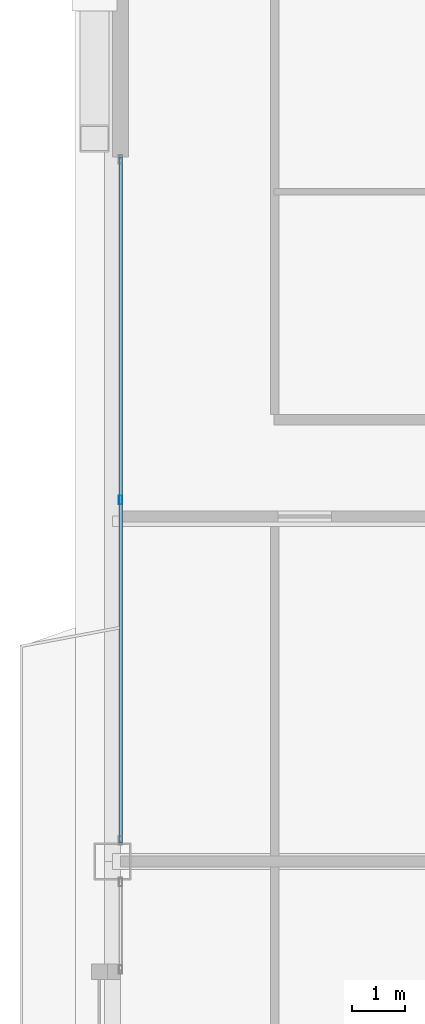
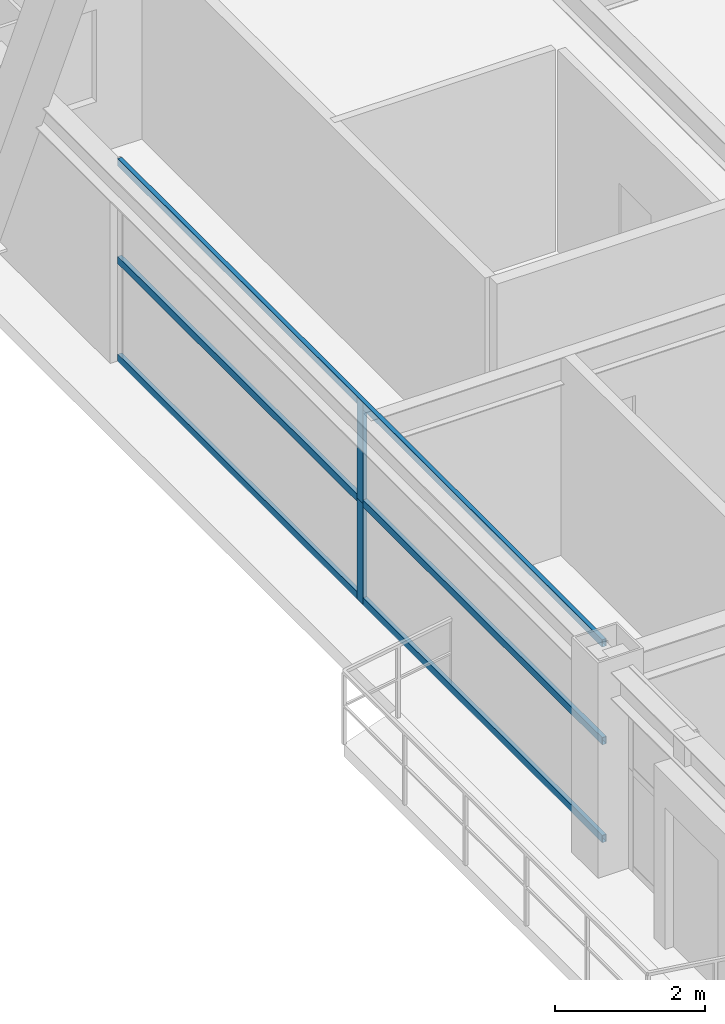
# One storey, part 10 of 33: 5 members, 1 element without a shape of its own.
"""IFC4 building model written with IfcOpenShell, lengths in metres."""

from ifc_helpers import new_model, si_unit, direction, frame, origin, origin_2d, place, context, subcontext, project, spatial, hollow_rectangle, extrude, source, transform, mapped, material, layer, layer_set, material_profile, profile_set, type_object, element, aggregate, save


model = new_model("IFC4")

# Units and contexts
model_context = context("Model", 3, precision=1e-05, world=origin(), true_north=direction((0.0, 1.0)))
body_context = subcontext(model_context, "Body", "Model", "MODEL_VIEW")
ifc_project = project(units=[si_unit("LENGTHUNIT", "METRE"), si_unit("AREAUNIT", "SQUARE_METRE"), si_unit("VOLUMEUNIT", "CUBIC_METRE"), si_unit("PLANEANGLEUNIT", "RADIAN"), si_unit("MASSUNIT", "GRAM", prefix="KILO"), si_unit("THERMODYNAMICTEMPERATUREUNIT", "KELVIN"), si_unit("POWERUNIT", "WATT")], contexts=[model_context])

# Site, building, storey
site_placement = place(None, origin())
site = spatial("IfcSite", under=ifc_project, at=site_placement, CompositionType="ELEMENT")
building_placement = place(site_placement, origin())
building = spatial("IfcBuilding", under=site, at=building_placement, Name="Yuzanri Waterfront Tower", CompositionType="ELEMENT")
storey_placement = place(building_placement, frame((0.0, 0.0, 234.60009765625)))
storey = spatial("IfcBuildingStorey", under=building, at=storey_placement, Name="L62", CompositionType="ELEMENT", Elevation=234.60009765625)

# Curtain wall, members
ifc_material_1 = material(Name="Anodized Architectural Bronze", Category="metal")
ifc_layer = layer(ifc_material_1, 0.159912109375)
ifc_layer_set = layer_set([ifc_layer], Name="Anodized Architectural Bronze")
curtain_wall_type = type_object("IfcCurtainWallType", Name="Anodized Bronze Mid-Rise Residential Acoustic Unitized Curtain Wall 7200", PredefinedType="NOTDEFINED", material=ifc_layer_set)
curtain_wall_placement = place(storey_placement, origin())
curtain_wall = element("IfcCurtainWall", 1, at=curtain_wall_placement, inside=storey, type_object=curtain_wall_type, Name="L62 Curtain Wall CW-L62-WR", PredefinedType="NOTDEFINED")
ifc_material_2 = material(Name="Anodized Architectural Bronze", Category="metal")
ifc_material_profile_1 = material_profile(ifc_material_2, hollow_rectangle(XDim=0.06494140625, YDim=0.159912109375, WallThickness=0.00341796875, at=origin_2d()), Name="CWM 65x160")
ifc_profile_set_1 = profile_set([ifc_material_profile_1], Name="Anodized Architectural Bronze")
member_type_1 = type_object("IfcMemberType", Name="Anodized Bronze Upper-Zone Curtain-Wall Mullion 65x160", PredefinedType="MULLION", material=ifc_profile_set_1)
shared_shape_1 = source(origin(), body_context, "Body", "SweptSolid", [
    extrude(hollow_rectangle(XDim=0.06494140625, YDim=0.159912109375, WallThickness=0.00341796875, at=origin_2d()), origin(), (0.0, 0.0, 1.0), 1.637939453125),
])
member_1_placement = place(storey_placement, frame((16.550048828125, 32.60009765625, 0.0), z_axis=(0.0, 0.0, 1.0), x_axis=(1.0, 0.0, 0.0)))
member_1 = element("IfcMember", 2, at=member_1_placement, type_object=member_type_1, Name="CW-L62-WR Lower Mullion 01", PredefinedType="MULLION", context=body_context, shape_type="MappedRepresentation", body=[
    mapped(shared_shape_1, transform((0.0, 0.0, 0.0), scale=1.0)),
])
member_2_placement = place(storey_placement, frame((16.550048828125, 32.60009765625, 1.641845703125), z_axis=(0.0, 0.0, 1.0), x_axis=(1.0, 0.0, 0.0)))
member_2 = element("IfcMember", 3, at=member_2_placement, type_object=member_type_1, Name="CW-L62-WR Upper Mullion 01", PredefinedType="MULLION", context=body_context, shape_type="MappedRepresentation", body=[
    mapped(shared_shape_1, transform((0.0, 0.0, 0.0), scale=1.0)),
])
ifc_material_3 = material(Name="Anodized Architectural Bronze", Category="metal")
ifc_material_profile_2 = material_profile(ifc_material_3, hollow_rectangle(XDim=0.06494140625, YDim=0.1201171875, WallThickness=0.00341796875, at=origin_2d()), Name="CWT 65x120")
ifc_profile_set_2 = profile_set([ifc_material_profile_2], Name="Anodized Architectural Bronze")
member_type_2 = type_object("IfcMemberType", Name="Anodized Bronze Secondary Curtain-Wall Transom 65x120", PredefinedType="USERDEFINED", material=ifc_profile_set_2)
shared_shape_2 = source(origin(), body_context, "Body", "SweptSolid", [
    extrude(hollow_rectangle(XDim=0.06494140625, YDim=0.1201171875, WallThickness=0.00341796875, at=origin_2d()), origin(), (0.0, 0.0, 1.0), 12.900146484375),
])
member_3_placement = place(storey_placement, frame((16.550048828125, 26.14990234375, 0.0498046875), z_axis=(0.0, 1.0, 0.0), x_axis=(-1.0, 0.0, 0.0)))
member_3 = element("IfcMember", 4, at=member_3_placement, type_object=member_type_2, Name="CW-L62-WR Transom 1", ObjectType="TRANSOM", PredefinedType="USERDEFINED", context=body_context, shape_type="MappedRepresentation", body=[
    mapped(shared_shape_2, transform((0.0, 0.0, 0.0), scale=1.0)),
])
member_4_placement = place(storey_placement, frame((16.550048828125, 26.14990234375, 1.639892578125), z_axis=(0.0, 1.0, 0.0), x_axis=(-1.0, 0.0, 0.0)))
member_4 = element("IfcMember", 5, at=member_4_placement, type_object=member_type_2, Name="CW-L62-WR Transom 2", ObjectType="TRANSOM", PredefinedType="USERDEFINED", context=body_context, shape_type="MappedRepresentation", body=[
    mapped(shared_shape_2, transform((0.0, 0.0, 0.0), scale=1.0)),
])
member_5_placement = place(storey_placement, frame((16.550048828125, 26.14990234375, 3.22998046875), z_axis=(0.0, 1.0, 0.0), x_axis=(-1.0, 0.0, 0.0)))
member_5 = element("IfcMember", 6, at=member_5_placement, type_object=member_type_2, Name="CW-L62-WR Transom 3", ObjectType="TRANSOM", PredefinedType="USERDEFINED", context=body_context, shape_type="MappedRepresentation", body=[
    mapped(shared_shape_2, transform((0.0, 0.0, 0.0), scale=1.0)),
])
aggregate(curtain_wall, [member_1, member_2, member_3, member_4, member_5])

save(model, "model.ifc")
